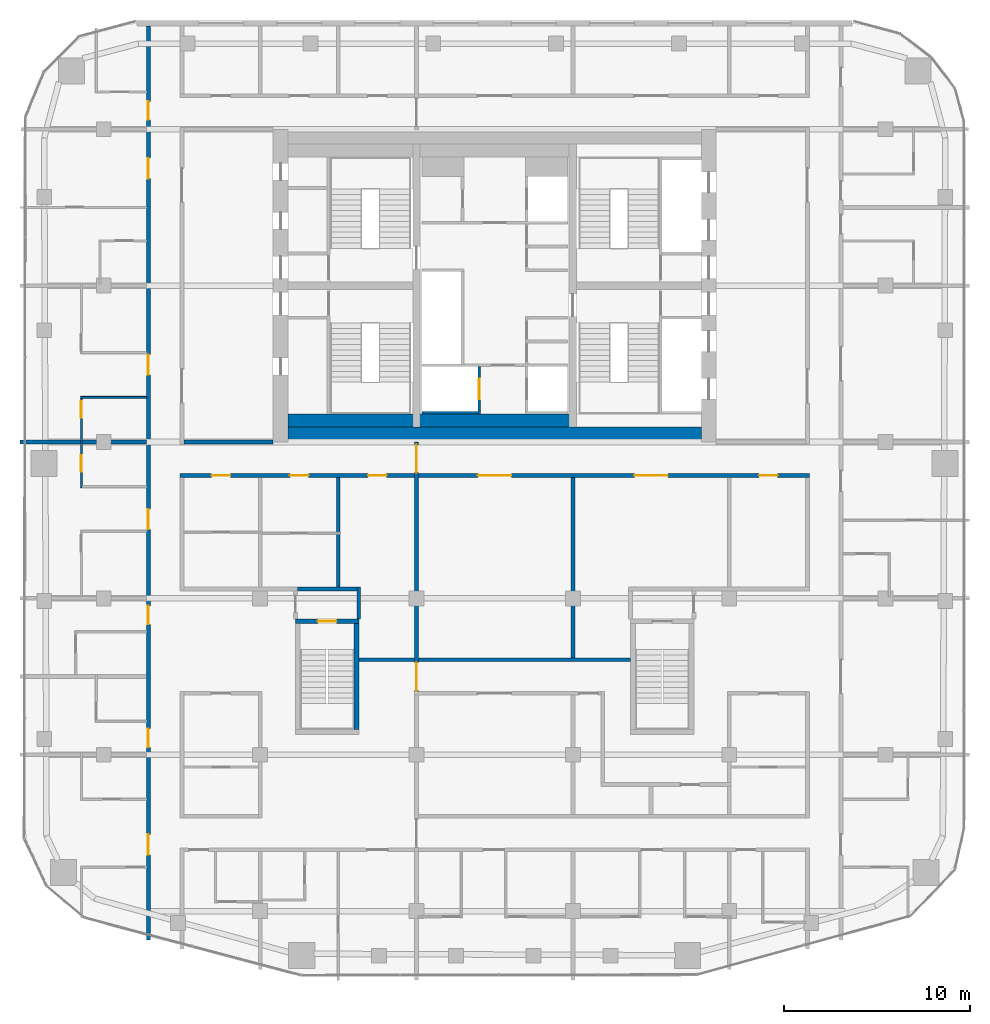
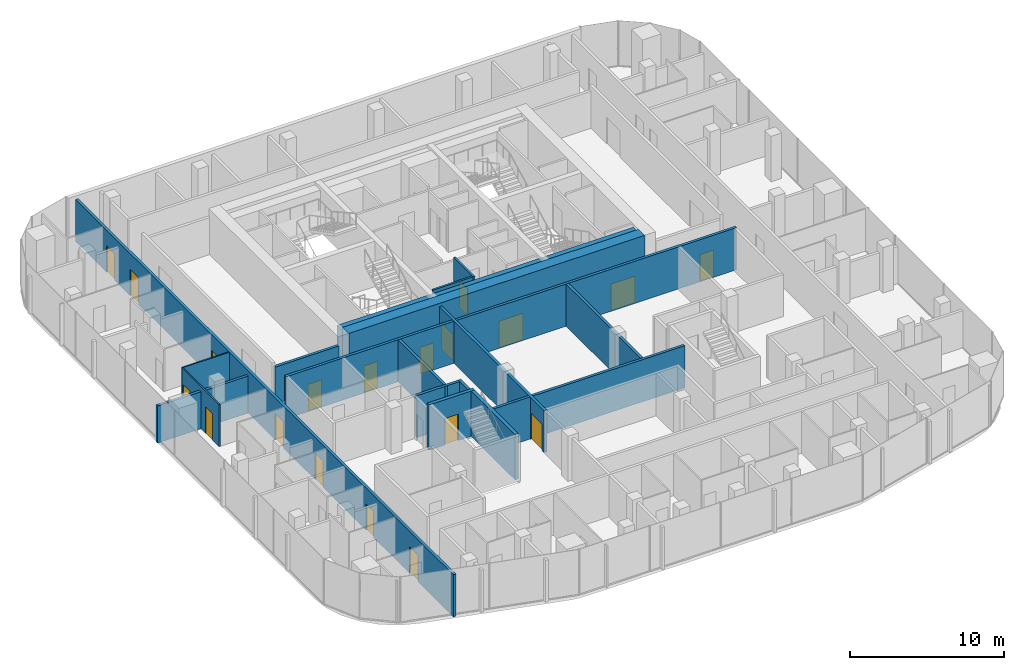
# One storey, part 15 of 21: 19 doors, 18 walls, 19 openings.
"""IFC4 building model written with IfcOpenShell, lengths in metres."""

from ifc_helpers import new_model, si_unit, direction, frame, frame_2d, origin, place, context, subcontext, project, spatial, rectangle, extrude, material, layer, layer_set, type_object, element, fill, save


model = new_model("IFC4")

# Units and contexts
model_context = context("Model", 3, precision=1e-05, world=origin(), true_north=direction((0.0, 1.0)))
body_context = subcontext(model_context, "Body", "Model", "MODEL_VIEW")
ifc_project = project(units=[si_unit("LENGTHUNIT", "METRE"), si_unit("AREAUNIT", "SQUARE_METRE"), si_unit("VOLUMEUNIT", "CUBIC_METRE"), si_unit("PLANEANGLEUNIT", "RADIAN"), si_unit("MASSUNIT", "GRAM", prefix="KILO")], contexts=[model_context])

# Site, building, storey
site_placement = place(None, origin())
site = spatial("IfcSite", under=ifc_project, at=site_placement, CompositionType="ELEMENT")
building_placement = place(site_placement, origin())
building = spatial("IfcBuilding", under=site, at=building_placement, Name="Marenta Gate Hotel Tower", CompositionType="ELEMENT")
storey_placement = place(building_placement, frame((0.0, 0.0, 202.10009765625)))
storey = spatial("IfcBuildingStorey", under=building, at=storey_placement, Name="L46", CompositionType="ELEMENT", Elevation=202.10009765625)

# Wall, openings, doors
ifc_material_1 = material(Name="Concrete blockwork", Category="masonry")
ifc_layer_1 = layer(ifc_material_1, 0.199951171875)
ifc_layer_set_1 = layer_set([ifc_layer_1], Name="Concrete blockwork")
wall_type_1 = type_object("IfcWallType", Name="Compartment wall 200 REI 180", PredefinedType="PARTITIONING", material=ifc_layer_set_1)
wall_1_placement = place(storey_placement, frame((-4.199951171875, -13.60009765625, 0.0), z_axis=(0.0, 0.0, 1.0), x_axis=(0.0, 1.0, 0.0)))
wall_1 = element("IfcWall", 1, at=wall_1_placement, inside=storey, type_object=wall_type_1, Name="L46-PTN-W071", PredefinedType="PARTITIONING", context=body_context, shape_type="SweptSolid", body=[
    extrude(rectangle(XDim=13.60009765625, YDim=0.199951171875, at=frame_2d((6.800048828125, 0.0))), origin(), (0.0, 0.0, 1.0), 3.33984375),
])
opening_1_placement = place(wall_1_placement, frame((11.949951171875, 0.0, 0.0)))
opening_1 = element("IfcOpeningElement", 2, at=opening_1_placement, cuts=wall_1, Name="Opening G16-FD2", PredefinedType="OPENING", context=body_context, shape_type="SweptSolid", body=[
    extrude(rectangle(XDim=1.5, YDim=2.10009765625, at=frame_2d((0.75, 1.050048828125))), frame((0.0, 0.10009765625, 0.0), z_axis=(0.0, -1.0, 0.0), x_axis=(1.0, 0.0, 0.0)), (0.0, 0.0, 1.0), 0.199951171875),
])
opening_2_placement = place(wall_1_placement, frame((0.25, 0.0, 0.0)))
opening_2 = element("IfcOpeningElement", 3, at=opening_2_placement, cuts=wall_1, Name="Opening G16-FD3", PredefinedType="OPENING", context=body_context, shape_type="SweptSolid", body=[
    extrude(rectangle(XDim=1.5, YDim=2.10009765625, at=frame_2d((0.75, 1.050048828125))), frame((0.0, 0.10009765625, 0.0), z_axis=(0.0, -1.0, 0.0), x_axis=(1.0, 0.0, 0.0)), (0.0, 0.0, 1.0), 0.199951171875),
])
ifc_material_2 = material(Name="Hollow steel door set", Category="steel")
door_type_1 = type_object("IfcDoorType", Name="Compartment fire door 1500x2100 EI 60", OperationType="DOUBLE_DOOR_DOUBLE_SWING", PredefinedType="DOOR", material=ifc_material_2)
door_1_placement = place(opening_1_placement, origin())
door_1 = element("IfcDoor", 4, at=door_1_placement, inside=storey, type_object=door_type_1, Name="L46-PD-FD02", OperationType="DOUBLE_DOOR_DOUBLE_SWING", OverallHeight=2.10009765625, OverallWidth=1.5, PredefinedType="DOOR", context=body_context, shape_type="SweptSolid", body=[
    extrude(rectangle(XDim=1.5, YDim=2.10009765625, at=frame_2d((0.75, 1.050048828125))), frame((0.0, 0.02490234375, 0.0), z_axis=(0.0, -1.0, 0.0), x_axis=(1.0, 0.0, 0.0)), (0.0, 0.0, 1.0), 0.050048828125),
])
fill(opening_1, door_1)
door_2_placement = place(opening_2_placement, origin())
door_2 = element("IfcDoor", 5, at=door_2_placement, inside=storey, type_object=door_type_1, Name="L46-PD-FD03", OperationType="DOUBLE_DOOR_DOUBLE_SWING", OverallHeight=2.10009765625, OverallWidth=1.5, PredefinedType="DOOR", context=body_context, shape_type="SweptSolid", body=[
    extrude(rectangle(XDim=1.5, YDim=2.10009765625, at=frame_2d((0.75, 1.050048828125))), frame((0.0, 0.02490234375, 0.0), z_axis=(0.0, -1.0, 0.0), x_axis=(1.0, 0.0, 0.0)), (0.0, 0.0, 1.0), 0.050048828125),
])
fill(opening_2, door_2)

# Walls
ifc_material_3 = material(Name="Concrete blockwork", Category="masonry")
ifc_layer_2 = layer(ifc_material_3, 0.199951171875)
ifc_layer_set_2 = layer_set([ifc_layer_2], Name="Concrete blockwork")
wall_type_2 = type_object("IfcWallType", Name="Core boundary wall 200 REI 180", PredefinedType="PARTITIONING", material=ifc_layer_set_2)
wall_2_placement = place(storey_placement, frame((-16.699951171875, 0.0, 0.0), z_axis=(0.0, 0.0, 1.0), x_axis=(1.0, 0.0, 0.0)))
element("IfcWall", 6, at=wall_2_placement, inside=storey, type_object=wall_type_2, Name="L46-CP-EW-WS", PredefinedType="PARTITIONING", context=body_context, shape_type="SweptSolid", body=[
    extrude(rectangle(XDim=4.800048828125, YDim=0.199951171875, at=frame_2d((2.39990234375, 0.0))), origin(), (0.0, 0.0, 1.0), 2.93994140625),
])
ifc_material_4 = material(Name="Concrete C40", Category="concrete")
ifc_layer_3 = layer(ifc_material_4, 0.699951171875)
ifc_layer_set_3 = layer_set([ifc_layer_3], Name="Concrete C40")
wall_type_3 = type_object("IfcWallType", Name="Core lining wall 700 REI 180", PredefinedType="PARTITIONING", material=ifc_layer_set_3)
wall_3_placement = place(storey_placement, frame((-11.10009765625, 1.14990234375, 0.0), z_axis=(0.0, 0.0, 1.0), x_axis=(1.0, 0.0, 0.0)))
element("IfcWall", 7, at=wall_3_placement, inside=storey, type_object=wall_type_3, Name="L46-CP-LN-S", PredefinedType="PARTITIONING", context=body_context, shape_type="SweptSolid", body=[
    extrude(rectangle(XDim=22.2001953125, YDim=0.699951171875, at=frame_2d((11.10009765625, 0.0))), origin(), (0.0, 0.0, 1.0), 3.33984375),
])

# Wall, opening, door
ifc_material_5 = material(Name="Concrete C40", Category="concrete")
ifc_layer_4 = layer(ifc_material_5, 0.14990234375)
ifc_layer_set_4 = layer_set([ifc_layer_4], Name="Concrete C40")
wall_type_4 = type_object("IfcWallType", Name="Core shaft wall 150 REI 180", PredefinedType="SHEAR", material=ifc_layer_set_4)
wall_4_placement = place(storey_placement, frame((-0.824951171875, 1.5, 0.0), z_axis=(0.0, 0.0, 1.0), x_axis=(0.0, 1.0, 0.0)))
wall_4 = element("IfcWall", 8, at=wall_4_placement, inside=storey, type_object=wall_type_4, Name="L46-SHF-CW-W-ff", PredefinedType="SHEAR", context=body_context, shape_type="SweptSolid", body=[
    extrude(rectangle(XDim=2.550048828125, YDim=0.14990234375, at=frame_2d((1.27490234375, 0.0))), origin(), (0.0, 0.0, 1.0), 3.599853515625),
])
opening_3_placement = place(wall_4_placement, frame((0.800048828125, 0.0, 0.0)))
opening_3 = element("IfcOpeningElement", 9, at=opening_3_placement, cuts=wall_4, Name="Opening LD-FF1", PredefinedType="OPENING", context=body_context, shape_type="SweptSolid", body=[
    extrude(rectangle(XDim=1.10009765625, YDim=2.10009765625, at=frame_2d((0.550048828125, 1.050048828125))), frame((0.0, 0.074951171875, 0.0), z_axis=(0.0, -1.0, 0.0), x_axis=(1.0, 0.0, 0.0)), (0.0, 0.0, 1.0), 0.14990234375),
])
ifc_material_6 = material(Name="Steel", Category="steel")
door_type_2 = type_object("IfcDoorType", Name="Core lift landing door 1100x2100 E 60", OperationType="SLIDING_TO_LEFT", PredefinedType="DOOR", material=ifc_material_6)
door_3_placement = place(opening_3_placement, origin())
door_3 = element("IfcDoor", 10, at=door_3_placement, inside=storey, type_object=door_type_2, Name="LD-FF1", OperationType="SLIDING_TO_LEFT", OverallHeight=2.10009765625, OverallWidth=1.10009765625, PredefinedType="DOOR", context=body_context, shape_type="SweptSolid", body=[
    extrude(rectangle(XDim=1.10009765625, YDim=2.10009765625, at=frame_2d((0.550048828125, 1.050048828125))), frame((0.0, 0.02490234375, 0.0), z_axis=(0.0, -1.0, 0.0), x_axis=(1.0, 0.0, 0.0)), (0.0, 0.0, 1.0), 0.050048828125),
])
fill(opening_3, door_3)

# Walls
wall_5_placement = place(storey_placement, frame((-3.89990234375, 1.574951171875, 0.0), z_axis=(0.0, 0.0, 1.0), x_axis=(1.0, 0.0, 0.0)))
element("IfcWall", 11, at=wall_5_placement, inside=storey, type_object=wall_type_4, Name="L46-SHF-CW-W-ffs", PredefinedType="SHEAR", context=body_context, shape_type="SweptSolid", body=[
    extrude(rectangle(XDim=3.0, YDim=0.14990234375, at=frame_2d((1.5, 0.0))), origin(), (0.0, 0.0, 1.0), 3.599853515625),
])
ifc_material_7 = material(Name="Concrete C60", Category="concrete")
ifc_layer_5 = layer(ifc_material_7, 0.800048828125)
ifc_layer_set_5 = layer_set([ifc_layer_5], Name="Concrete C60")
wall_type_5 = type_object("IfcWallType", Name="Core wall 800 C60", PredefinedType="SHEAR", material=ifc_layer_set_5)
wall_6_placement = place(storey_placement, frame((-11.10009765625, 0.39990234375, 0.0), z_axis=(0.0, 0.0, 1.0), x_axis=(1.0, 0.0, 0.0)))
element("IfcWall", 12, at=wall_6_placement, inside=storey, type_object=wall_type_5, Name="L46-CORE-S", PredefinedType="SHEAR", context=body_context, shape_type="SweptSolid", body=[
    extrude(rectangle(XDim=22.2001953125, YDim=0.800048828125, at=frame_2d((11.10009765625, 0.0))), origin(), (0.0, 0.0, 1.0), 3.599853515625),
])

# Wall, opening, door
ifc_material_8 = material(Name="Concrete C40", Category="concrete")
ifc_layer_6 = layer(ifc_material_8, 0.25)
ifc_layer_set_6 = layer_set([ifc_layer_6], Name="Concrete C40")
wall_type_6 = type_object("IfcWallType", Name="Remote stair enclosure wall 250 REI 180", PredefinedType="SHEAR", material=ifc_layer_set_6)
wall_7_placement = place(storey_placement, frame((-10.699951171875, -9.625, 0.099853515625), z_axis=(0.0, 0.0, 1.0), x_axis=(1.0, 0.0, 0.0)))
wall_7 = element("IfcWall", 13, at=wall_7_placement, inside=storey, type_object=wall_type_6, Name="L46-RS-Z3-1-W2", PredefinedType="SHEAR", context=body_context, shape_type="SweptSolid", body=[
    extrude(rectangle(XDim=3.39990234375, YDim=0.25, at=frame_2d((1.699951171875, 0.0))), origin(), (0.0, 0.0, 1.0), 3.60009765625),
])
opening_4_placement = place(wall_7_placement, frame((1.199951171875, 0.0, 0.0)))
opening_4 = element("IfcOpeningElement", 14, at=opening_4_placement, cuts=wall_7, Name="Opening VD", PredefinedType="OPENING", context=body_context, shape_type="SweptSolid", body=[
    extrude(rectangle(XDim=1.0, YDim=2.10009765625, at=frame_2d((0.5, 1.050048828125))), frame((0.0, 0.125, 0.0), z_axis=(0.0, -1.0, 0.0), x_axis=(1.0, 0.0, 0.0)), (0.0, 0.0, 1.0), 0.25),
])
ifc_material_9 = material(Name="Steel", Category="steel")
door_type_3 = type_object("IfcDoorType", Name="Stair vestibule door 1000x2100 FD60", OperationType="SINGLE_SWING_LEFT", PredefinedType="DOOR", material=ifc_material_9)
door_4_placement = place(opening_4_placement, origin())
door_4 = element("IfcDoor", 15, at=door_4_placement, inside=storey, type_object=door_type_3, Name="VD", OperationType="SINGLE_SWING_LEFT", OverallHeight=2.10009765625, OverallWidth=1.0, PredefinedType="DOOR", context=body_context, shape_type="SweptSolid", body=[
    extrude(rectangle(XDim=1.0, YDim=2.10009765625, at=frame_2d((0.5, 1.050048828125))), frame((0.0, 0.02490234375, 0.0), z_axis=(0.0, -1.0, 0.0), x_axis=(1.0, 0.0, 0.0)), (0.0, 0.0, 1.0), 0.050048828125),
])
fill(opening_4, door_4)

# Wall
wall_8_placement = place(storey_placement, frame((-7.425048828125, -15.449951171875, 0.099853515625), z_axis=(0.0, 0.0, 1.0), x_axis=(0.0, 1.0, 0.0)))
element("IfcWall", 16, at=wall_8_placement, inside=storey, type_object=wall_type_6, Name="L46-RS-Z3-1-W4", PredefinedType="SHEAR", context=body_context, shape_type="SweptSolid", body=[
    extrude(rectangle(XDim=5.699951171875, YDim=0.25, at=frame_2d((2.85009765625, 0.0))), origin(), (0.0, 0.0, 1.0), 3.60009765625),
])

# Wall, openings, doors
ifc_material_10 = material(Name="Concrete blockwork", Category="masonry")
ifc_layer_7 = layer(ifc_material_10, 0.199951171875)
ifc_layer_set_7 = layer_set([ifc_layer_7], Name="Concrete blockwork")
wall_type_7 = type_object("IfcWallType", Name="Room corridor wall 200 EI 120", PredefinedType="PARTITIONING", material=ifc_layer_set_7)
wall_9_placement = place(storey_placement, frame((-16.89990234375, -1.800048828125, 0.0), z_axis=(0.0, 0.0, 1.0), x_axis=(1.0, 0.0, 0.0)))
wall_9 = element("IfcWall", 17, at=wall_9_placement, inside=storey, type_object=wall_type_7, Name="L46-PTN-W064", PredefinedType="PARTITIONING", context=body_context, shape_type="SweptSolid", body=[
    extrude(rectangle(XDim=33.7998046875, YDim=0.199951171875, at=frame_2d((16.89990234375, 0.0))), origin(), (0.0, 0.0, 1.0), 3.33984375),
])
opening_5_placement = place(wall_9_placement, frame((1.699951171875, 0.0, 0.0)))
opening_5 = element("IfcOpeningElement", 18, at=opening_5_placement, cuts=wall_9, Name="Opening G16-01", PredefinedType="OPENING", context=body_context, shape_type="SweptSolid", body=[
    extrude(rectangle(XDim=1.0, YDim=2.10009765625, at=frame_2d((0.5, 1.050048828125))), frame((0.0, 0.10009765625, 0.0), z_axis=(0.0, -1.0, 0.0), x_axis=(1.0, 0.0, 0.0)), (0.0, 0.0, 1.0), 0.199951171875),
])
opening_6_placement = place(wall_9_placement, frame((5.89990234375, 0.0, 0.0)))
opening_6 = element("IfcOpeningElement", 19, at=opening_6_placement, cuts=wall_9, Name="Opening G16-03", PredefinedType="OPENING", context=body_context, shape_type="SweptSolid", body=[
    extrude(rectangle(XDim=1.0, YDim=2.10009765625, at=frame_2d((0.5, 1.050048828125))), frame((0.0, 0.10009765625, 0.0), z_axis=(0.0, -1.0, 0.0), x_axis=(1.0, 0.0, 0.0)), (0.0, 0.0, 1.0), 0.199951171875),
])
opening_7_placement = place(wall_9_placement, frame((10.10009765625, 0.0, 0.0)))
opening_7 = element("IfcOpeningElement", 20, at=opening_7_placement, cuts=wall_9, Name="Opening G16-05", PredefinedType="OPENING", context=body_context, shape_type="SweptSolid", body=[
    extrude(rectangle(XDim=1.0, YDim=2.10009765625, at=frame_2d((0.5, 1.050048828125))), frame((0.0, 0.10009765625, 0.0), z_axis=(0.0, -1.0, 0.0), x_axis=(1.0, 0.0, 0.0)), (0.0, 0.0, 1.0), 0.199951171875),
])
opening_8_placement = place(wall_9_placement, frame((16.0, 0.0, 0.0)))
opening_8 = element("IfcOpeningElement", 21, at=opening_8_placement, cuts=wall_9, Name="Opening G16-06", PredefinedType="OPENING", context=body_context, shape_type="SweptSolid", body=[
    extrude(rectangle(XDim=1.800048828125, YDim=2.10009765625, at=frame_2d((0.89990234375, 1.050048828125))), frame((0.0, 0.10009765625, 0.0), z_axis=(0.0, -1.0, 0.0), x_axis=(1.0, 0.0, 0.0)), (0.0, 0.0, 1.0), 0.199951171875),
])
opening_9_placement = place(wall_9_placement, frame((24.39990234375, 0.0, 0.0)))
opening_9 = element("IfcOpeningElement", 22, at=opening_9_placement, cuts=wall_9, Name="Opening G16-07", PredefinedType="OPENING", context=body_context, shape_type="SweptSolid", body=[
    extrude(rectangle(XDim=1.800048828125, YDim=2.10009765625, at=frame_2d((0.89990234375, 1.050048828125))), frame((0.0, 0.10009765625, 0.0), z_axis=(0.0, -1.0, 0.0), x_axis=(1.0, 0.0, 0.0)), (0.0, 0.0, 1.0), 0.199951171875),
])
opening_10_placement = place(wall_9_placement, frame((31.10009765625, 0.0, 0.0)))
opening_10 = element("IfcOpeningElement", 23, at=opening_10_placement, cuts=wall_9, Name="Opening G16-08", PredefinedType="OPENING", context=body_context, shape_type="SweptSolid", body=[
    extrude(rectangle(XDim=1.0, YDim=2.10009765625, at=frame_2d((0.5, 1.050048828125))), frame((0.0, 0.10009765625, 0.0), z_axis=(0.0, -1.0, 0.0), x_axis=(1.0, 0.0, 0.0)), (0.0, 0.0, 1.0), 0.199951171875),
])
ifc_material_11 = material(Name="Timber door leaf", Category="wood")
door_type_4 = type_object("IfcDoorType", Name="Room amenity door 1000x2100 EI 60", OperationType="NOTDEFINED", PredefinedType="DOOR", material=ifc_material_11)
door_5_placement = place(opening_7_placement, origin())
door_5 = element("IfcDoor", 24, at=door_5_placement, inside=storey, type_object=door_type_4, Name="L46-PD-D005", OperationType="SINGLE_SWING_RIGHT", OverallHeight=2.10009765625, OverallWidth=1.0, PredefinedType="DOOR", context=body_context, shape_type="SweptSolid", body=[
    extrude(rectangle(XDim=1.0, YDim=2.10009765625, at=frame_2d((0.5, 1.050048828125))), frame((0.0, 0.02490234375, 0.0), z_axis=(0.0, -1.0, 0.0), x_axis=(1.0, 0.0, 0.0)), (0.0, 0.0, 1.0), 0.050048828125),
])
fill(opening_7, door_5)
door_6_placement = place(opening_10_placement, origin())
door_6 = element("IfcDoor", 25, at=door_6_placement, inside=storey, type_object=door_type_4, Name="L46-PD-D008", OperationType="SINGLE_SWING_LEFT", OverallHeight=2.10009765625, OverallWidth=1.0, PredefinedType="DOOR", context=body_context, shape_type="SweptSolid", body=[
    extrude(rectangle(XDim=1.0, YDim=2.10009765625, at=frame_2d((0.5, 1.050048828125))), frame((0.0, 0.02490234375, 0.0), z_axis=(0.0, -1.0, 0.0), x_axis=(1.0, 0.0, 0.0)), (0.0, 0.0, 1.0), 0.050048828125),
])
fill(opening_10, door_6)
ifc_material_12 = material(Name="Timber door leaf", Category="wood")
door_type_5 = type_object("IfcDoorType", Name="Room amenity door 1800x2100 EI 60", OperationType="DOUBLE_DOOR_SINGLE_SWING", PredefinedType="DOOR", material=ifc_material_12)
door_7_placement = place(opening_8_placement, origin())
door_7 = element("IfcDoor", 26, at=door_7_placement, inside=storey, type_object=door_type_5, Name="L46-PD-D006", OperationType="DOUBLE_DOOR_SINGLE_SWING", OverallHeight=2.10009765625, OverallWidth=1.800048828125, PredefinedType="DOOR", context=body_context, shape_type="SweptSolid", body=[
    extrude(rectangle(XDim=1.800048828125, YDim=2.10009765625, at=frame_2d((0.89990234375, 1.050048828125))), frame((0.0, 0.02490234375, 0.0), z_axis=(0.0, -1.0, 0.0), x_axis=(1.0, 0.0, 0.0)), (0.0, 0.0, 1.0), 0.050048828125),
])
fill(opening_8, door_7)
door_8_placement = place(opening_9_placement, origin())
door_8 = element("IfcDoor", 27, at=door_8_placement, inside=storey, type_object=door_type_5, Name="L46-PD-D007", OperationType="DOUBLE_DOOR_SINGLE_SWING", OverallHeight=2.10009765625, OverallWidth=1.800048828125, PredefinedType="DOOR", context=body_context, shape_type="SweptSolid", body=[
    extrude(rectangle(XDim=1.800048828125, YDim=2.10009765625, at=frame_2d((0.89990234375, 1.050048828125))), frame((0.0, 0.02490234375, 0.0), z_axis=(0.0, -1.0, 0.0), x_axis=(1.0, 0.0, 0.0)), (0.0, 0.0, 1.0), 0.050048828125),
])
fill(opening_9, door_8)
ifc_material_13 = material(Name="Hollow steel door set", Category="steel")
door_type_6 = type_object("IfcDoorType", Name="Room service door 1000x2100 EI 60", OperationType="NOTDEFINED", PredefinedType="DOOR", material=ifc_material_13)
door_9_placement = place(opening_5_placement, origin())
door_9 = element("IfcDoor", 28, at=door_9_placement, inside=storey, type_object=door_type_6, Name="L46-PD-D001", OperationType="SINGLE_SWING_LEFT", OverallHeight=2.10009765625, OverallWidth=1.0, PredefinedType="DOOR", context=body_context, shape_type="SweptSolid", body=[
    extrude(rectangle(XDim=1.0, YDim=2.10009765625, at=frame_2d((0.5, 1.050048828125))), frame((0.0, 0.02490234375, 0.0), z_axis=(0.0, -1.0, 0.0), x_axis=(1.0, 0.0, 0.0)), (0.0, 0.0, 1.0), 0.050048828125),
])
fill(opening_5, door_9)
door_10_placement = place(opening_6_placement, origin())
door_10 = element("IfcDoor", 29, at=door_10_placement, inside=storey, type_object=door_type_6, Name="L46-PD-D003", OperationType="SINGLE_SWING_LEFT", OverallHeight=2.10009765625, OverallWidth=1.0, PredefinedType="DOOR", context=body_context, shape_type="SweptSolid", body=[
    extrude(rectangle(XDim=1.0, YDim=2.10009765625, at=frame_2d((0.5, 1.050048828125))), frame((0.0, 0.02490234375, 0.0), z_axis=(0.0, -1.0, 0.0), x_axis=(1.0, 0.0, 0.0)), (0.0, 0.0, 1.0), 0.050048828125),
])
fill(opening_6, door_10)

# Wall
ifc_material_14 = material(Name="Gypsum board on steel stud", Category="steel")
ifc_layer_8 = layer(ifc_material_14, 0.199951171875)
ifc_layer_set_8 = layer_set([ifc_layer_8], Name="Gypsum board on steel stud")
wall_type_8 = type_object("IfcWallType", Name="Room corridor wall 200 EI 60", PredefinedType="PARTITIONING", material=ifc_layer_set_8)
wall_10_placement = place(storey_placement, frame((-7.300048828125, -11.699951171875, 0.0), z_axis=(0.0, 0.0, 1.0), x_axis=(1.0, 0.0, 0.0)))
element("IfcWall", 30, at=wall_10_placement, inside=storey, type_object=wall_type_8, Name="L46-PTN-W040", PredefinedType="PARTITIONING", context=body_context, shape_type="SweptSolid", body=[
    extrude(rectangle(XDim=14.60009765625, YDim=0.199951171875, at=frame_2d((7.300048828125, 0.0))), origin(), (0.0, 0.0, 1.0), 3.33984375),
])

# Wall, openings, doors
wall_11_placement = place(storey_placement, frame((-18.60009765625, -26.7509765625, 0.0), z_axis=(0.0, 0.0, 1.0), x_axis=(0.0, 1.0, 0.0)))
wall_11 = element("IfcWall", 31, at=wall_11_placement, inside=storey, type_object=wall_type_8, Name="L46-PTN-W099", PredefinedType="PARTITIONING", context=body_context, shape_type="SweptSolid", body=[
    extrude(rectangle(XDim=49.091064453125, YDim=0.199951171875, at=frame_2d((24.54541015625, 0.0))), origin(), (0.0, 0.0, 1.0), 3.33984375),
])
opening_11_placement = place(wall_11_placement, frame((4.575927734375, 0.0, 0.0)))
opening_11 = element("IfcOpeningElement", 32, at=opening_11_placement, cuts=wall_11, Name="Opening G16-46", PredefinedType="OPENING", context=body_context, shape_type="SweptSolid", body=[
    extrude(rectangle(XDim=1.10009765625, YDim=2.10009765625, at=frame_2d((0.550048828125, 1.050048828125))), frame((0.0, 0.10009765625, 0.0), z_axis=(0.0, -1.0, 0.0), x_axis=(1.0, 0.0, 0.0)), (0.0, 0.0, 1.0), 0.199951171875),
])
opening_12_placement = place(wall_11_placement, frame((10.35107421875, 0.0, 0.0)))
opening_12 = element("IfcOpeningElement", 33, at=opening_12_placement, cuts=wall_11, Name="Opening G16-49", PredefinedType="OPENING", context=body_context, shape_type="SweptSolid", body=[
    extrude(rectangle(XDim=1.0, YDim=2.10009765625, at=frame_2d((0.5, 1.050048828125))), frame((0.0, 0.10009765625, 0.0), z_axis=(0.0, -1.0, 0.0), x_axis=(1.0, 0.0, 0.0)), (0.0, 0.0, 1.0), 0.199951171875),
])
opening_13_placement = place(wall_11_placement, frame((16.950927734375, 0.0, 0.0)))
opening_13 = element("IfcOpeningElement", 34, at=opening_13_placement, cuts=wall_11, Name="Opening G16-51", PredefinedType="OPENING", context=body_context, shape_type="SweptSolid", body=[
    extrude(rectangle(XDim=1.0, YDim=2.10009765625, at=frame_2d((0.5, 1.050048828125))), frame((0.0, 0.10009765625, 0.0), z_axis=(0.0, -1.0, 0.0), x_axis=(1.0, 0.0, 0.0)), (0.0, 0.0, 1.0), 0.199951171875),
])
opening_14_placement = place(wall_11_placement, frame((22.051025390625, 0.0, 0.0)))
opening_14 = element("IfcOpeningElement", 35, at=opening_14_placement, cuts=wall_11, Name="Opening G16-53", PredefinedType="OPENING", context=body_context, shape_type="SweptSolid", body=[
    extrude(rectangle(XDim=1.10009765625, YDim=2.10009765625, at=frame_2d((0.550048828125, 1.050048828125))), frame((0.0, 0.10009765625, 0.0), z_axis=(0.0, -1.0, 0.0), x_axis=(1.0, 0.0, 0.0)), (0.0, 0.0, 1.0), 0.199951171875),
])
opening_15_placement = place(wall_11_placement, frame((30.35107421875, 0.0, 0.0)))
opening_15 = element("IfcOpeningElement", 36, at=opening_15_placement, cuts=wall_11, Name="Opening G16-56", PredefinedType="OPENING", context=body_context, shape_type="SweptSolid", body=[
    extrude(rectangle(XDim=1.10009765625, YDim=2.10009765625, at=frame_2d((0.550048828125, 1.050048828125))), frame((0.0, 0.10009765625, 0.0), z_axis=(0.0, -1.0, 0.0), x_axis=(1.0, 0.0, 0.0)), (0.0, 0.0, 1.0), 0.199951171875),
])
opening_16_placement = place(wall_11_placement, frame((40.90087890625, 0.0, 0.0)))
opening_16 = element("IfcOpeningElement", 37, at=opening_16_placement, cuts=wall_11, Name="Opening G16-59", PredefinedType="OPENING", context=body_context, shape_type="SweptSolid", body=[
    extrude(rectangle(XDim=1.10009765625, YDim=2.10009765625, at=frame_2d((0.550048828125, 1.050048828125))), frame((0.0, 0.10009765625, 0.0), z_axis=(0.0, -1.0, 0.0), x_axis=(1.0, 0.0, 0.0)), (0.0, 0.0, 1.0), 0.199951171875),
])
opening_17_placement = place(wall_11_placement, frame((44.051025390625, 0.0, 0.0)))
opening_17 = element("IfcOpeningElement", 38, at=opening_17_placement, cuts=wall_11, Name="Opening G16-62", PredefinedType="OPENING", context=body_context, shape_type="SweptSolid", body=[
    extrude(rectangle(XDim=1.0, YDim=2.10009765625, at=frame_2d((0.5, 1.050048828125))), frame((0.0, 0.10009765625, 0.0), z_axis=(0.0, -1.0, 0.0), x_axis=(1.0, 0.0, 0.0)), (0.0, 0.0, 1.0), 0.199951171875),
])
ifc_material_15 = material(Name="Timber door leaf", Category="wood")
door_type_7 = type_object("IfcDoorType", Name="Guest room door 1000x2100 EI 30", OperationType="NOTDEFINED", PredefinedType="DOOR", material=ifc_material_15)
door_11_placement = place(opening_12_placement, origin())
door_11 = element("IfcDoor", 39, at=door_11_placement, inside=storey, type_object=door_type_7, Name="L46-PD-D049", OperationType="SINGLE_SWING_RIGHT", OverallHeight=2.10009765625, OverallWidth=1.0, PredefinedType="DOOR", context=body_context, shape_type="SweptSolid", body=[
    extrude(rectangle(XDim=1.0, YDim=2.10009765625, at=frame_2d((0.5, 1.050048828125))), frame((0.0, 0.02490234375, 0.0), z_axis=(0.0, -1.0, 0.0), x_axis=(1.0, 0.0, 0.0)), (0.0, 0.0, 1.0), 0.050048828125),
])
fill(opening_12, door_11)
door_12_placement = place(opening_13_placement, origin())
door_12 = element("IfcDoor", 40, at=door_12_placement, inside=storey, type_object=door_type_7, Name="L46-PD-D051", OperationType="SINGLE_SWING_RIGHT", OverallHeight=2.10009765625, OverallWidth=1.0, PredefinedType="DOOR", context=body_context, shape_type="SweptSolid", body=[
    extrude(rectangle(XDim=1.0, YDim=2.10009765625, at=frame_2d((0.5, 1.050048828125))), frame((0.0, 0.02490234375, 0.0), z_axis=(0.0, -1.0, 0.0), x_axis=(1.0, 0.0, 0.0)), (0.0, 0.0, 1.0), 0.050048828125),
])
fill(opening_13, door_12)
door_13_placement = place(opening_17_placement, origin())
door_13 = element("IfcDoor", 41, at=door_13_placement, inside=storey, type_object=door_type_7, Name="L46-PD-D062", OperationType="SINGLE_SWING_LEFT", OverallHeight=2.10009765625, OverallWidth=1.0, PredefinedType="DOOR", context=body_context, shape_type="SweptSolid", body=[
    extrude(rectangle(XDim=1.0, YDim=2.10009765625, at=frame_2d((0.5, 1.050048828125))), frame((0.0, 0.02490234375, 0.0), z_axis=(0.0, -1.0, 0.0), x_axis=(1.0, 0.0, 0.0)), (0.0, 0.0, 1.0), 0.050048828125),
])
fill(opening_17, door_13)
ifc_material_16 = material(Name="Timber door leaf", Category="wood")
door_type_8 = type_object("IfcDoorType", Name="Guest room door 1100x2100 EI 30", OperationType="NOTDEFINED", PredefinedType="DOOR", material=ifc_material_16)
door_14_placement = place(opening_11_placement, origin())
door_14 = element("IfcDoor", 42, at=door_14_placement, inside=storey, type_object=door_type_8, Name="L46-PD-D046", OperationType="SINGLE_SWING_LEFT", OverallHeight=2.10009765625, OverallWidth=1.10009765625, PredefinedType="DOOR", context=body_context, shape_type="SweptSolid", body=[
    extrude(rectangle(XDim=1.10009765625, YDim=2.10009765625, at=frame_2d((0.550048828125, 1.050048828125))), frame((0.0, 0.02490234375, 0.0), z_axis=(0.0, -1.0, 0.0), x_axis=(1.0, 0.0, 0.0)), (0.0, 0.0, 1.0), 0.050048828125),
])
fill(opening_11, door_14)
door_15_placement = place(opening_14_placement, origin())
door_15 = element("IfcDoor", 43, at=door_15_placement, inside=storey, type_object=door_type_8, Name="L46-PD-D053", OperationType="SINGLE_SWING_LEFT", OverallHeight=2.10009765625, OverallWidth=1.10009765625, PredefinedType="DOOR", context=body_context, shape_type="SweptSolid", body=[
    extrude(rectangle(XDim=1.10009765625, YDim=2.10009765625, at=frame_2d((0.550048828125, 1.050048828125))), frame((0.0, 0.02490234375, 0.0), z_axis=(0.0, -1.0, 0.0), x_axis=(1.0, 0.0, 0.0)), (0.0, 0.0, 1.0), 0.050048828125),
])
fill(opening_14, door_15)
door_16_placement = place(opening_15_placement, origin())
door_16 = element("IfcDoor", 44, at=door_16_placement, inside=storey, type_object=door_type_8, Name="L46-PD-D056", OperationType="SINGLE_SWING_RIGHT", OverallHeight=2.10009765625, OverallWidth=1.10009765625, PredefinedType="DOOR", context=body_context, shape_type="SweptSolid", body=[
    extrude(rectangle(XDim=1.10009765625, YDim=2.10009765625, at=frame_2d((0.550048828125, 1.050048828125))), frame((0.0, 0.02490234375, 0.0), z_axis=(0.0, -1.0, 0.0), x_axis=(1.0, 0.0, 0.0)), (0.0, 0.0, 1.0), 0.050048828125),
])
fill(opening_15, door_16)
door_17_placement = place(opening_16_placement, origin())
door_17 = element("IfcDoor", 45, at=door_17_placement, inside=storey, type_object=door_type_8, Name="L46-PD-D059", OperationType="SINGLE_SWING_RIGHT", OverallHeight=2.10009765625, OverallWidth=1.10009765625, PredefinedType="DOOR", context=body_context, shape_type="SweptSolid", body=[
    extrude(rectangle(XDim=1.10009765625, YDim=2.10009765625, at=frame_2d((0.550048828125, 1.050048828125))), frame((0.0, 0.02490234375, 0.0), z_axis=(0.0, -1.0, 0.0), x_axis=(1.0, 0.0, 0.0)), (0.0, 0.0, 1.0), 0.050048828125),
])
fill(opening_16, door_17)

# Wall
ifc_material_17 = material(Name="Gypsum board on steel stud", Category="steel")
ifc_layer_9 = layer(ifc_material_17, 0.10009765625)
ifc_layer_set_9 = layer_set([ifc_layer_9], Name="Gypsum board on steel stud")
wall_type_9 = type_object("IfcWallType", Name="Room partition 100", PredefinedType="PARTITIONING", material=ifc_layer_set_9)
wall_12_placement = place(storey_placement, frame((-22.25, 2.39990234375, 0.0), z_axis=(0.0, 0.0, 1.0), x_axis=(1.0, 0.0, 0.0)))
element("IfcWall", 46, at=wall_12_placement, inside=storey, type_object=wall_type_9, Name="L46-PTN-W069", PredefinedType="PARTITIONING", context=body_context, shape_type="SweptSolid", body=[
    extrude(rectangle(XDim=3.550048828125, YDim=0.10009765625, at=frame_2d((1.77490234375, 0.0))), origin(), (0.0, 0.0, 1.0), 3.33984375),
])

# Wall, openings, doors
wall_13_placement = place(storey_placement, frame((-22.199951171875, -2.449951171875, 0.0), z_axis=(0.0, 0.0, 1.0), x_axis=(0.0, 1.0, 0.0)))
wall_13 = element("IfcWall", 47, at=wall_13_placement, inside=storey, type_object=wall_type_9, Name="L46-PTN-W108", PredefinedType="PARTITIONING", context=body_context, shape_type="SweptSolid", body=[
    extrude(rectangle(XDim=4.800048828125, YDim=0.10009765625, at=frame_2d((2.39990234375, 0.0))), origin(), (0.0, 0.0, 1.0), 3.33984375),
])
opening_18_placement = place(wall_13_placement, frame((0.85009765625, 0.0, 0.0)))
opening_18 = element("IfcOpeningElement", 48, at=opening_18_placement, cuts=wall_13, Name="Opening G16-55", PredefinedType="OPENING", context=body_context, shape_type="SweptSolid", body=[
    extrude(rectangle(XDim=0.89990234375, YDim=2.10009765625, at=frame_2d((0.449951171875, 1.050048828125))), frame((0.0, 0.050048828125, 0.0), z_axis=(0.0, -1.0, 0.0), x_axis=(1.0, 0.0, 0.0)), (0.0, 0.0, 1.0), 0.10009765625),
])
opening_19_placement = place(wall_13_placement, frame((3.75, 0.0, 0.0)))
opening_19 = element("IfcOpeningElement", 49, at=opening_19_placement, cuts=wall_13, Name="Opening G16-58", PredefinedType="OPENING", context=body_context, shape_type="SweptSolid", body=[
    extrude(rectangle(XDim=0.89990234375, YDim=2.10009765625, at=frame_2d((0.449951171875, 1.050048828125))), frame((0.0, 0.050048828125, 0.0), z_axis=(0.0, -1.0, 0.0), x_axis=(1.0, 0.0, 0.0)), (0.0, 0.0, 1.0), 0.10009765625),
])
ifc_material_18 = material(Name="Timber door leaf", Category="wood")
door_type_9 = type_object("IfcDoorType", Name="Room inner door 900x2100", OperationType="NOTDEFINED", PredefinedType="DOOR", material=ifc_material_18)
door_18_placement = place(opening_18_placement, origin())
door_18 = element("IfcDoor", 50, at=door_18_placement, inside=storey, type_object=door_type_9, Name="L46-PD-D055", OperationType="SINGLE_SWING_LEFT", OverallHeight=2.10009765625, OverallWidth=0.89990234375, PredefinedType="DOOR", context=body_context, shape_type="SweptSolid", body=[
    extrude(rectangle(XDim=0.89990234375, YDim=2.10009765625, at=frame_2d((0.449951171875, 1.050048828125))), frame((0.0, 0.02490234375, 0.0), z_axis=(0.0, -1.0, 0.0), x_axis=(1.0, 0.0, 0.0)), (0.0, 0.0, 1.0), 0.050048828125),
])
fill(opening_18, door_18)
door_19_placement = place(opening_19_placement, origin())
door_19 = element("IfcDoor", 51, at=door_19_placement, inside=storey, type_object=door_type_9, Name="L46-PD-D058", OperationType="SINGLE_SWING_LEFT", OverallHeight=2.10009765625, OverallWidth=0.89990234375, PredefinedType="DOOR", context=body_context, shape_type="SweptSolid", body=[
    extrude(rectangle(XDim=0.89990234375, YDim=2.10009765625, at=frame_2d((0.449951171875, 1.050048828125))), frame((0.0, 0.02490234375, 0.0), z_axis=(0.0, -1.0, 0.0), x_axis=(1.0, 0.0, 0.0)), (0.0, 0.0, 1.0), 0.050048828125),
])
fill(opening_19, door_19)

# Walls
ifc_material_19 = material(Name="Concrete blockwork", Category="masonry")
ifc_layer_10 = layer(ifc_material_19, 0.199951171875)
ifc_layer_set_10 = layer_set([ifc_layer_10], Name="Concrete blockwork")
wall_type_10 = type_object("IfcWallType", Name="Room party wall 200 EI 120", PredefinedType="PARTITIONING", material=ifc_layer_set_10)
wall_14_placement = place(storey_placement, frame((-8.39990234375, -8.0, 0.0), z_axis=(0.0, 0.0, 1.0), x_axis=(0.0, 1.0, 0.0)))
element("IfcWall", 52, at=wall_14_placement, inside=storey, type_object=wall_type_10, Name="L46-PTN-W077", PredefinedType="PARTITIONING", context=body_context, shape_type="SweptSolid", body=[
    extrude(rectangle(XDim=6.10009765625, YDim=0.199951171875, at=frame_2d((3.050048828125, 0.0))), origin(), (0.0, 0.0, 1.0), 3.33984375),
])
ifc_material_20 = material(Name="Gypsum board on steel stud", Category="steel")
ifc_layer_11 = layer(ifc_material_20, 0.199951171875)
ifc_layer_set_11 = layer_set([ifc_layer_11], Name="Gypsum board on steel stud")
wall_type_11 = type_object("IfcWallType", Name="Room party wall 200 EI 60", PredefinedType="PARTITIONING", material=ifc_layer_set_11)
wall_15_placement = place(storey_placement, frame((4.199951171875, -11.60009765625, 0.0), z_axis=(0.0, 0.0, 1.0), x_axis=(0.0, 1.0, 0.0)))
element("IfcWall", 53, at=wall_15_placement, inside=storey, type_object=wall_type_11, Name="L46-PTN-W060", PredefinedType="PARTITIONING", context=body_context, shape_type="SweptSolid", body=[
    extrude(rectangle(XDim=9.7001953125, YDim=0.199951171875, at=frame_2d((4.85009765625, 0.0))), origin(), (0.0, 0.0, 1.0), 3.33984375),
])
wall_16_placement = place(storey_placement, frame((-25.5, 0.0, 0.0), z_axis=(0.0, 0.0, 1.0), x_axis=(1.0, 0.0, 0.0)))
element("IfcWall", 54, at=wall_16_placement, inside=storey, type_object=wall_type_11, Name="L46-PTN-W066", PredefinedType="PARTITIONING", context=body_context, shape_type="SweptSolid", body=[
    extrude(rectangle(XDim=6.800048828125, YDim=0.199951171875, at=frame_2d((3.39990234375, 0.0))), origin(), (0.0, 0.0, 1.0), 2.93994140625),
])
ifc_material_21 = material(Name="Concrete blockwork", Category="masonry")
ifc_layer_12 = layer(ifc_material_21, 0.199951171875)
ifc_layer_set_12 = layer_set([ifc_layer_12], Name="Concrete blockwork")
wall_type_12 = type_object("IfcWallType", Name="Room party wall 200 REI 180", PredefinedType="PARTITIONING", material=ifc_layer_set_12)
wall_17_placement = place(storey_placement, frame((-10.60009765625, -7.89990234375, 0.0), z_axis=(0.0, 0.0, 1.0), x_axis=(1.0, 0.0, 0.0)))
element("IfcWall", 55, at=wall_17_placement, inside=storey, type_object=wall_type_12, Name="L46-PTN-W049", PredefinedType="PARTITIONING", context=body_context, shape_type="SweptSolid", body=[
    extrude(rectangle(XDim=3.2001953125, YDim=0.199951171875, at=frame_2d((1.60009765625, 0.0))), origin(), (0.0, 0.0, 1.0), 3.33984375),
])
wall_18_placement = place(storey_placement, frame((-7.300048828125, -9.5, 0.0), z_axis=(0.0, 0.0, 1.0), x_axis=(0.0, 1.0, 0.0)))
element("IfcWall", 56, at=wall_18_placement, inside=storey, type_object=wall_type_12, Name="L46-PTN-W075", PredefinedType="PARTITIONING", context=body_context, shape_type="SweptSolid", body=[
    extrude(rectangle(XDim=1.699951171875, YDim=0.199951171875, at=frame_2d((0.85009765625, 0.0))), origin(), (0.0, 0.0, 1.0), 3.33984375),
])

save(model, "model.ifc")
